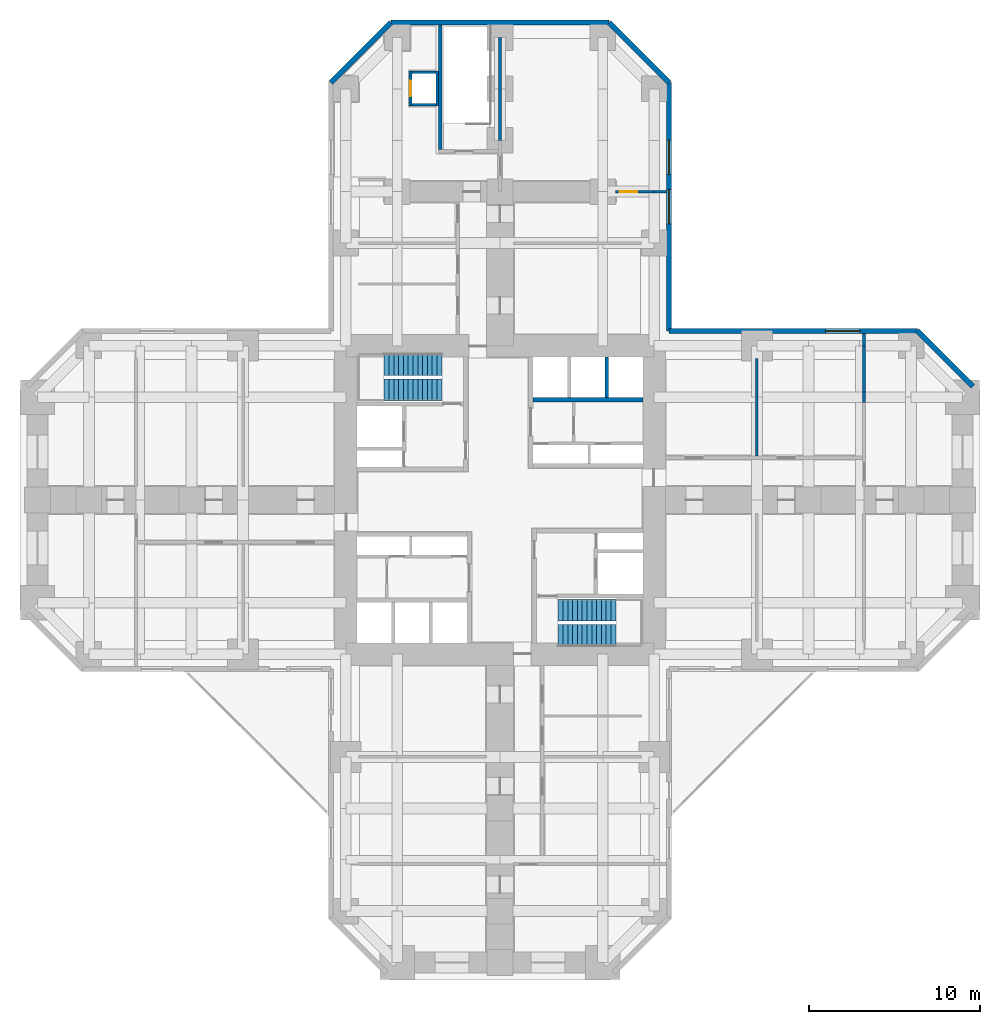
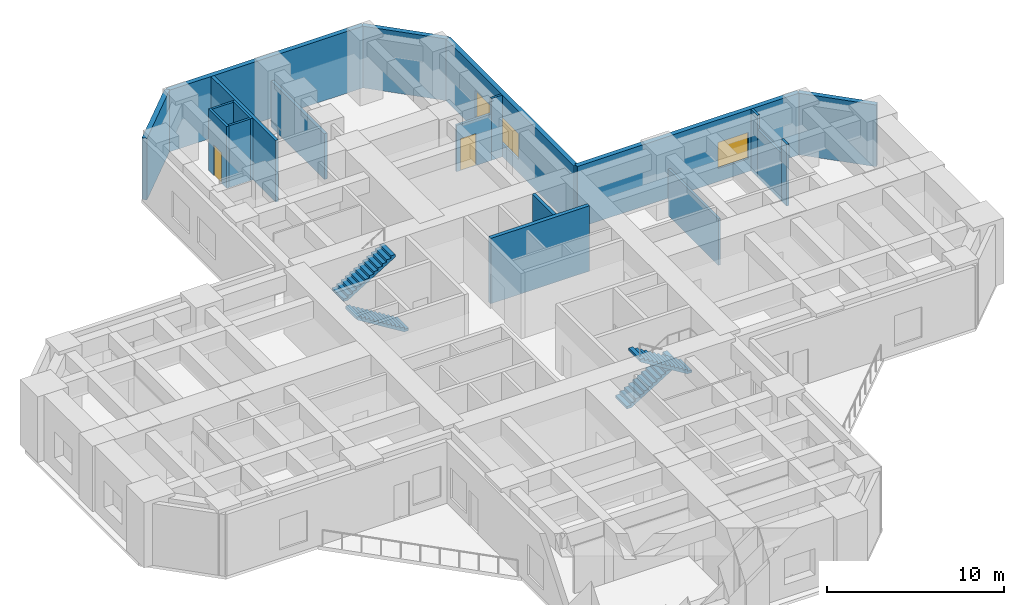
# One storey, part 7 of 8: 20 walls, 4 stair flights, 3 windows, 2 doors, 5 openings, 2 elements without a shape of their own.
"""IFC4 building model written with IfcOpenShell, lengths in metres."""

from ifc_helpers import new_model, si_unit, direction, frame, frame_2d, origin, place, context, subcontext, project, spatial, polyline, rectangle, hollow_rectangle, outline, extrude, material, layer, layer_set, constituent, constituent_set, type_object, element, fill, aggregate, save


model = new_model("IFC4")

# Units and contexts
model_context = context("Model", 3, precision=1e-05, world=origin(), true_north=direction((0.0, 1.0)))
body_context = subcontext(model_context, "Body", "Model", "MODEL_VIEW")
ifc_project = project(units=[si_unit("LENGTHUNIT", "METRE"), si_unit("AREAUNIT", "SQUARE_METRE"), si_unit("VOLUMEUNIT", "CUBIC_METRE"), si_unit("PLANEANGLEUNIT", "RADIAN"), si_unit("MASSUNIT", "GRAM", prefix="KILO")], contexts=[model_context])

# Site, building, storey
site_placement = place(None, origin())
site = spatial("IfcSite", under=ifc_project, at=site_placement, CompositionType="ELEMENT")
building_placement = place(site_placement, origin())
building = spatial("IfcBuilding", under=site, at=building_placement, Name="Torre Cruceta", CompositionType="ELEMENT")
storey_placement = place(building_placement, frame((0.0, 0.0, 14.0)))
storey = spatial("IfcBuildingStorey", under=building, at=storey_placement, Name="L03", CompositionType="ELEMENT", Elevation=14.0)

# Walls
ifc_material_1 = material(Name="Concrete G60 (fck 60 MPa)", Category="concrete")
ifc_layer_1 = layer(ifc_material_1, 0.25)
ifc_layer_set_1 = layer_set([ifc_layer_1], Name="Concrete G60 (fck 60 MPa)")
wall_type_1 = type_object("IfcWallType", Name="CORE INNER WALL 250 G60", PredefinedType="SHEAR", material=ifc_layer_set_1)
wall_1_placement = place(storey_placement, frame((1.925048828125, 5.85009765625, 0.0), z_axis=(0.0, 0.0, 1.0), x_axis=(1.0, 0.0, 0.0)))
element("IfcWall", 1, at=wall_1_placement, inside=storey, type_object=wall_type_1, Name="CW4 L03 NE-LV", PredefinedType="SHEAR", context=body_context, shape_type="SweptSolid", body=[
    extrude(rectangle(XDim=6.425048828125, YDim=0.25, at=frame_2d((3.21240234375, 0.0))), origin(), (0.0, 0.0, 1.0), 4.5),
])
ifc_material_2 = material(Name="Concrete G25 (fck 25 MPa)", Category="concrete")
ifc_layer_2 = layer(ifc_material_2, 0.199951171875)
ifc_layer_set_2 = layer_set([ifc_layer_2], Name="Concrete G25 (fck 25 MPa)")
wall_type_2 = type_object("IfcWallType", Name="CORRIDOR WALL 200", PredefinedType="SOLIDWALL", material=ifc_layer_set_2)
wall_2_placement = place(storey_placement, frame((0.0, 21.0, 0.0), z_axis=(0.0, 0.0, 1.0), x_axis=(0.0, 1.0, 0.0)))
element("IfcWall", 2, at=wall_2_placement, inside=storey, type_object=wall_type_2, Name="PT3 spine line L03 N 2", PredefinedType="SOLIDWALL", context=body_context, shape_type="SweptSolid", body=[
    extrude(rectangle(XDim=6.0, YDim=0.199951171875, at=frame_2d((3.0, 0.0))), origin(), (0.0, 0.0, 1.0), 3.14990234375),
])
ifc_material_3 = material(Name="Concrete G30 (fck 30 MPa)", Category="concrete")
ifc_layer_3 = layer(ifc_material_3, 0.300048828125)
ifc_layer_set_3 = layer_set([ifc_layer_3], Name="Concrete G30 (fck 30 MPa)")
wall_type_3 = type_object("IfcWallType", Name="EXPOSED CONCRETE FACADE WALL 300", PredefinedType="SOLIDWALL", material=ifc_layer_set_3)
wall_3_placement = place(storey_placement, frame((27.60009765625, 6.63037109375, 0.0), z_axis=(0.0, 0.0, 1.0), x_axis=(-0.707106781187, 0.707106781187, 0.0)))
element("IfcWall", 3, at=wall_3_placement, inside=storey, type_object=wall_type_3, Name="EW1 facade wall L03 E chamfer 03", PredefinedType="SOLIDWALL", context=body_context, shape_type="SweptSolid", body=[
    extrude(rectangle(XDim=4.581787109375, YDim=0.300048828125, at=frame_2d((2.291015625, 0.0))), origin(), (0.0, 0.0, 1.0), 4.25),
])

# Wall, opening, window
wall_4_placement = place(storey_placement, frame((24.3603515625, 9.8701171875, 0.0), z_axis=(0.0, 0.0, 1.0), x_axis=(-1.0, 0.0, 0.0)))
wall_4 = element("IfcWall", 4, at=wall_4_placement, inside=storey, type_object=wall_type_3, Name="EW1 facade wall L03 E side 04", PredefinedType="SOLIDWALL", context=body_context, shape_type="SweptSolid", body=[
    extrude(rectangle(XDim=14.490234375, YDim=0.300048828125, at=frame_2d((7.2451171875, 0.0))), origin(), (0.0, 0.0, 1.0), 4.25),
])
opening_1_placement = place(wall_4_placement, frame((3.34716796875, 0.0, 0.89990234375)))
opening_1 = element("IfcOpeningElement", 5, at=opening_1_placement, cuts=wall_4, Name="Opening WN1", PredefinedType="OPENING", context=body_context, shape_type="SweptSolid", body=[
    extrude(rectangle(XDim=2.0, YDim=1.800048828125, at=frame_2d((1.0, 0.89990234375))), frame((0.0, 0.159912109375, 0.0), z_axis=(0.0, -1.0, 0.0), x_axis=(1.0, 0.0, 0.0)), (0.0, 0.0, 1.0), 0.320068359375),
])
ifc_material_4 = material(Name="Aluminium window frame", Category="aluminium")
ifc_constituent_1 = constituent(ifc_material_4, Name="Frame")
ifc_material_5 = material(Name="Laminated insulating glass unit, low-iron clear", Category="glass")
ifc_constituent_2 = constituent(ifc_material_5, Name="Glazing")
ifc_constituent_set_1 = constituent_set(constituents=[ifc_constituent_1, ifc_constituent_2], Name="Aluminium window")
window_type = type_object("IfcWindowType", Name="SCHOOL WINDOW 2000X1800", PartitioningType="SINGLE_PANEL", PredefinedType="WINDOW", material=ifc_constituent_set_1)
window_1_placement = place(opening_1_placement, origin())
window_1 = element("IfcWindow", 6, at=window_1_placement, inside=storey, type_object=window_type, Name="WN1 L03 E 2", OverallHeight=1.800048828125, OverallWidth=2.0, PartitioningType="SINGLE_PANEL", PredefinedType="WINDOW", context=body_context, shape_type="SweptSolid", body=[
    extrude(hollow_rectangle(XDim=2.0, YDim=1.800048828125, WallThickness=0.06005859375, at=frame_2d((1.0, 0.89990234375))), frame((0.0, 0.030029296875, 0.0), z_axis=(0.0, -1.0, 0.0), x_axis=(1.0, 0.0, 0.0)), (0.0, 0.0, 1.0), 0.06005859375),
    extrude(rectangle(XDim=1.87890625, YDim=1.678955078125, at=frame_2d((1.0, 0.89990234375))), frame((0.0, 0.030029296875, 0.0), z_axis=(0.0, -1.0, 0.0), x_axis=(1.0, 0.0, 0.0)), (0.0, 0.0, 1.0), 0.06005859375),
])
fill(opening_1, window_1)

# Wall, openings, windows
wall_5_placement = place(storey_placement, frame((9.8701171875, 9.8701171875, 0.0), z_axis=(0.0, 0.0, 1.0), x_axis=(0.0, 1.0, 0.0)))
wall_5 = element("IfcWall", 7, at=wall_5_placement, inside=storey, type_object=wall_type_3, Name="EW1 facade wall L03 N side 05", PredefinedType="SOLIDWALL", context=body_context, shape_type="SweptSolid", body=[
    extrude(rectangle(XDim=14.490234375, YDim=0.300048828125, at=frame_2d((7.2451171875, 0.0))), origin(), (0.0, 0.0, 1.0), 4.25),
])
opening_2_placement = place(wall_5_placement, frame((6.2451171875, 0.0, 0.89990234375)))
opening_2 = element("IfcOpeningElement", 8, at=opening_2_placement, cuts=wall_5, Name="Opening WN1", PredefinedType="OPENING", context=body_context, shape_type="SweptSolid", body=[
    extrude(rectangle(XDim=2.0, YDim=1.800048828125, at=frame_2d((1.0, 0.89990234375))), frame((0.0, 0.159912109375, 0.0), z_axis=(0.0, -1.0, 0.0), x_axis=(1.0, 0.0, 0.0)), (0.0, 0.0, 1.0), 0.320068359375),
])
opening_3_placement = place(wall_5_placement, frame((9.143310546875, 0.0, 0.89990234375)))
opening_3 = element("IfcOpeningElement", 9, at=opening_3_placement, cuts=wall_5, Name="Opening WN1", PredefinedType="OPENING", context=body_context, shape_type="SweptSolid", body=[
    extrude(rectangle(XDim=2.0, YDim=1.800048828125, at=frame_2d((1.0, 0.89990234375))), frame((0.0, 0.159912109375, 0.0), z_axis=(0.0, -1.0, 0.0), x_axis=(1.0, 0.0, 0.0)), (0.0, 0.0, 1.0), 0.320068359375),
])
window_2_placement = place(opening_2_placement, origin())
window_2 = element("IfcWindow", 10, at=window_2_placement, inside=storey, type_object=window_type, Name="WN1 L03 N 3", OverallHeight=1.800048828125, OverallWidth=2.0, PartitioningType="SINGLE_PANEL", PredefinedType="WINDOW", context=body_context, shape_type="SweptSolid", body=[
    extrude(hollow_rectangle(XDim=2.0, YDim=1.800048828125, WallThickness=0.06005859375, at=frame_2d((1.0, 0.89990234375))), frame((0.0, 0.030029296875, 0.0), z_axis=(0.0, -1.0, 0.0), x_axis=(1.0, 0.0, 0.0)), (0.0, 0.0, 1.0), 0.06005859375),
    extrude(rectangle(XDim=1.87890625, YDim=1.678955078125, at=frame_2d((1.0, 0.89990234375))), frame((0.0, 0.030029296875, 0.0), z_axis=(0.0, -1.0, 0.0), x_axis=(1.0, 0.0, 0.0)), (0.0, 0.0, 1.0), 0.06005859375),
])
fill(opening_2, window_2)
window_3_placement = place(opening_3_placement, origin())
window_3 = element("IfcWindow", 11, at=window_3_placement, inside=storey, type_object=window_type, Name="WN1 L03 N 4", OverallHeight=1.800048828125, OverallWidth=2.0, PartitioningType="SINGLE_PANEL", PredefinedType="WINDOW", context=body_context, shape_type="SweptSolid", body=[
    extrude(hollow_rectangle(XDim=2.0, YDim=1.800048828125, WallThickness=0.06005859375, at=frame_2d((1.0, 0.89990234375))), frame((0.0, 0.030029296875, 0.0), z_axis=(0.0, -1.0, 0.0), x_axis=(1.0, 0.0, 0.0)), (0.0, 0.0, 1.0), 0.06005859375),
    extrude(rectangle(XDim=1.87890625, YDim=1.678955078125, at=frame_2d((1.0, 0.89990234375))), frame((0.0, 0.030029296875, 0.0), z_axis=(0.0, -1.0, 0.0), x_axis=(1.0, 0.0, 0.0)), (0.0, 0.0, 1.0), 0.06005859375),
])
fill(opening_3, window_3)

# Walls
wall_6_placement = place(storey_placement, frame((9.8701171875, 24.3603515625, 0.0), z_axis=(0.0, 0.0, 1.0), x_axis=(-0.707106781187, 0.707106781187, 0.0)))
element("IfcWall", 12, at=wall_6_placement, inside=storey, type_object=wall_type_3, Name="EW1 facade wall L03 N chamfer 06", PredefinedType="SOLIDWALL", context=body_context, shape_type="SweptSolid", body=[
    extrude(rectangle(XDim=4.963623046875, YDim=0.300048828125, at=frame_2d((2.48193359375, 0.0))), origin(), (0.0, 0.0, 1.0), 4.25),
])
wall_7_placement = place(storey_placement, frame((6.3603515625, 27.8701171875, 0.0), z_axis=(0.0, 0.0, 1.0), x_axis=(-1.0, 0.0, 0.0)))
element("IfcWall", 13, at=wall_7_placement, inside=storey, type_object=wall_type_3, Name="EW1 facade wall L03 N tip 07", PredefinedType="SOLIDWALL", context=body_context, shape_type="SweptSolid", body=[
    extrude(rectangle(XDim=12.720703125, YDim=0.300048828125, at=frame_2d((6.3603515625, 0.0))), origin(), (0.0, 0.0, 1.0), 4.25),
])
wall_8_placement = place(storey_placement, frame((-6.3603515625, 27.8701171875, 0.0), z_axis=(0.0, 0.0, 1.0), x_axis=(-0.707106781187, -0.707106781187, 0.0)))
element("IfcWall", 14, at=wall_8_placement, inside=storey, type_object=wall_type_3, Name="EW1 facade wall L03 N chamfer 08", PredefinedType="SOLIDWALL", context=body_context, shape_type="SweptSolid", body=[
    extrude(rectangle(XDim=4.963623046875, YDim=0.300048828125, at=frame_2d((2.48193359375, 0.0))), origin(), (0.0, 0.0, 1.0), 4.25),
])
ifc_material_6 = material(Name="Concrete block masonry", Category="masonry")
ifc_layer_4 = layer(ifc_material_6, 0.14990234375)
ifc_layer_set_4 = layer_set([ifc_layer_4], Name="Concrete block masonry")
wall_type_4 = type_object("IfcWallType", Name="LIFT SHAFT WALL 150", PredefinedType="PARTITIONING", material=ifc_layer_set_4)
wall_9_placement = place(storey_placement, frame((-3.675048828125, 23.0, 0.0), z_axis=(0.0, 0.0, 1.0), x_axis=(0.0, 1.0, 0.0)))
element("IfcWall", 15, at=wall_9_placement, inside=storey, type_object=wall_type_4, Name="PT7 L03-N-LS1A", PredefinedType="PARTITIONING", context=body_context, shape_type="SweptSolid", body=[
    extrude(rectangle(XDim=2.050048828125, YDim=0.14990234375, at=frame_2d((1.02490234375, 0.0))), origin(), (0.0, 0.0, 1.0), 4.25),
])

# Wall, opening, door
wall_10_placement = place(storey_placement, frame((-5.22509765625, 23.0, 0.0), z_axis=(0.0, 0.0, 1.0), x_axis=(0.0, 1.0, 0.0)))
wall_10 = element("IfcWall", 16, at=wall_10_placement, inside=storey, type_object=wall_type_4, Name="PT7 L03-N-LS1B", PredefinedType="PARTITIONING", context=body_context, shape_type="SweptSolid", body=[
    extrude(rectangle(XDim=2.050048828125, YDim=0.14990234375, at=frame_2d((1.02490234375, 0.0))), origin(), (0.0, 0.0, 1.0), 4.25),
])
opening_4_placement = place(wall_10_placement, frame((0.574951171875, 0.0, 0.0)))
opening_4 = element("IfcOpeningElement", 17, at=opening_4_placement, cuts=wall_10, Name="Opening LD2", PredefinedType="OPENING", context=body_context, shape_type="SweptSolid", body=[
    extrude(rectangle(XDim=0.89990234375, YDim=2.10009765625, at=frame_2d((0.449951171875, 1.050048828125))), frame((0.0, 0.0849609375, 0.0), z_axis=(0.0, -1.0, 0.0), x_axis=(1.0, 0.0, 0.0)), (0.0, 0.0, 1.0), 0.169921875),
])
ifc_material_7 = material(Name="Stainless steel 1.4401", Category="steel")
door_type_1 = type_object("IfcDoorType", Name="PLATFORM LIFT LANDING DOOR 900X2100", OperationType="DOUBLE_DOOR_SLIDING", PredefinedType="DOOR", material=ifc_material_7)
door_1_placement = place(opening_4_placement, origin())
door_1 = element("IfcDoor", 18, at=door_1_placement, inside=storey, type_object=door_type_1, Name="LD2 L03-N-LS1B-D1", OperationType="DOUBLE_DOOR_SLIDING", OverallHeight=2.10009765625, OverallWidth=0.89990234375, PredefinedType="DOOR", context=body_context, shape_type="SweptSolid", body=[
    extrude(rectangle(XDim=0.89990234375, YDim=2.10009765625, at=frame_2d((0.449951171875, 1.050048828125))), frame((0.0, 0.02490234375, 0.0), z_axis=(0.0, -1.0, 0.0), x_axis=(1.0, 0.0, 0.0)), (0.0, 0.0, 1.0), 0.050048828125),
])
fill(opening_4, door_1)

# Walls
for number, where, z_axis, x_axis, name in (
    (19, (-3.75, 23.074951171875, 0.0), (0.0, 0.0, 1.0), (-1.0, 0.0, 0.0), "PT7 L03-N-LS1C"),
    (20, (-3.75, 24.97509765625, 0.0), (0.0, 0.0, 1.0), (-1.0, 0.0, 0.0), "PT7 L03-N-LS1D"),
):
    element("IfcWall", number, at=place(storey_placement, frame(where, z_axis=z_axis, x_axis=x_axis)), inside=storey, type_object=wall_type_4, Name=name, PredefinedType="PARTITIONING", context=body_context, shape_type="SweptSolid", body=[
        extrude(rectangle(XDim=1.39990234375, YDim=0.14990234375, at=frame_2d((0.699951171875, 0.0))), origin(), (0.0, 0.0, 1.0), 4.25),
    ])
ifc_material_8 = material(Name="Concrete G35 (fck 35 MPa)", Category="concrete")
ifc_layer_5 = layer(ifc_material_8, 0.199951171875)
ifc_layer_set_5 = layer_set([ifc_layer_5], Name="Concrete G35 (fck 35 MPa)")
wall_type_5 = type_object("IfcWallType", Name="LIFT SHAFT WALL 200", PredefinedType="PARTITIONING", material=ifc_layer_set_5)
wall_11_placement = place(storey_placement, frame((6.24169921875, 5.97509765625, 0.0), z_axis=(0.0, 0.0, 1.0), x_axis=(0.0, 1.0, 0.0)))
element("IfcWall", 21, at=wall_11_placement, inside=storey, type_object=wall_type_5, Name="SW1 L03 NE-LS2", PredefinedType="PARTITIONING", context=body_context, shape_type="SweptSolid", body=[
    extrude(rectangle(XDim=2.375, YDim=0.199951171875, at=frame_2d((1.1875, 0.0))), origin(), (0.0, 0.0, 1.0), 4.5),
])

# Wall, opening, door
ifc_material_9 = material(Name="Plasterboard on steel studs", Category="steel")
ifc_layer_6 = layer(ifc_material_9, 0.14990234375)
ifc_layer_set_6 = layer_set([ifc_layer_6], Name="Plasterboard on steel studs")
wall_type_6 = type_object("IfcWallType", Name="PARTITION 150", PredefinedType="PARTITIONING", material=ifc_layer_set_6)
wall_12_placement = place(storey_placement, frame((6.75, 18.0, 0.0), z_axis=(0.0, 0.0, 1.0), x_axis=(1.0, 0.0, 0.0)))
wall_12 = element("IfcWall", 22, at=wall_12_placement, inside=storey, type_object=wall_type_6, Name="PT1 L03-N-LABX", PredefinedType="PARTITIONING", context=body_context, shape_type="SweptSolid", body=[
    extrude(rectangle(XDim=2.25, YDim=0.14990234375, at=frame_2d((1.125, 0.0))), origin(), (0.0, 0.0, 1.0), 3.199951171875),
])
opening_5_placement = place(wall_12_placement, frame((0.25, 0.0, 0.0)))
opening_5 = element("IfcOpeningElement", 23, at=opening_5_placement, cuts=wall_12, Name="Opening D14", PredefinedType="OPENING", context=body_context, shape_type="SweptSolid", body=[
    extrude(rectangle(XDim=1.0, YDim=2.199951171875, at=frame_2d((0.5, 1.10009765625))), frame((0.0, 0.0849609375, 0.0), z_axis=(0.0, -1.0, 0.0), x_axis=(1.0, 0.0, 0.0)), (0.0, 0.0, 1.0), 0.169921875),
])
ifc_material_10 = material(Name="Steel DX51D", Category="steel")
ifc_constituent_3 = constituent(ifc_material_10, Name="Leaf and frame")
ifc_material_11 = material(Name="Polyester powder coating", Category="paint")
ifc_constituent_4 = constituent(ifc_material_11, Name="Finish")
ifc_material_12 = material(Name="Fire-resisting glass", Category="glass")
ifc_constituent_5 = constituent(ifc_material_12, Name="Vision panel")
ifc_constituent_set_2 = constituent_set(constituents=[ifc_constituent_3, ifc_constituent_4, ifc_constituent_5], Name="Steel fire door with vision panel")
door_type_2 = type_object("IfcDoorType", Name="FIRE DOOR VISION PANEL 1000X2200", OperationType="SINGLE_SWING_RIGHT", PredefinedType="DOOR", material=ifc_constituent_set_2)
door_2_placement = place(opening_5_placement, frame((1.0, 0.0, 0.0), z_axis=(0.0, 0.0, 1.0), x_axis=(-1.0, 0.0, 0.0)))
door_2 = element("IfcDoor", 24, at=door_2_placement, inside=storey, type_object=door_type_2, Name="D14 L03-N-LABX-D1", OperationType="SINGLE_SWING_RIGHT", OverallHeight=2.199951171875, OverallWidth=1.0, PredefinedType="DOOR", context=body_context, shape_type="SweptSolid", body=[
    extrude(rectangle(XDim=1.0, YDim=2.199951171875, at=frame_2d((0.5, 1.10009765625))), frame((0.0, 0.025146484375, 0.0), z_axis=(0.0, -1.0, 0.0), x_axis=(1.0, 0.0, 0.0)), (0.0, 0.0, 1.0), 0.050048828125),
])
fill(opening_5, door_2)

# Walls
wall_13_placement = place(storey_placement, frame((9.0, 18.0, 0.0), z_axis=(0.0, 0.0, 1.0), x_axis=(1.0, 0.0, 0.0)))
element("IfcWall", 25, at=wall_13_placement, inside=storey, type_object=wall_type_6, Name="PT1 L03-N-LABX 2", PredefinedType="PARTITIONING", context=body_context, shape_type="SweptSolid", body=[
    extrude(rectangle(XDim=0.719970703125, YDim=0.14990234375, at=frame_2d((0.35986328125, 0.0))), origin(), (0.0, 0.0, 1.0), 4.25),
])
wall_14_placement = place(storey_placement, frame((15.0, 2.574951171875, 0.0), z_axis=(0.0, 0.0, 1.0), x_axis=(0.0, 1.0, 0.0)))
element("IfcWall", 26, at=wall_14_placement, inside=storey, type_object=wall_type_6, Name="PT1 L03-E-P1L", PredefinedType="PARTITIONING", context=body_context, shape_type="SweptSolid", body=[
    extrude(rectangle(XDim=5.675048828125, YDim=0.14990234375, at=frame_2d((2.83740234375, 0.0))), origin(), (0.0, 0.0, 1.0), 3.199951171875),
])
wall_15_placement = place(storey_placement, frame((21.25, 5.699951171875, 0.0), z_axis=(0.0, 0.0, 1.0), x_axis=(0.0, 1.0, 0.0)))
element("IfcWall", 27, at=wall_15_placement, inside=storey, type_object=wall_type_6, Name="PT1 L03-E-ENDb 2", PredefinedType="PARTITIONING", context=body_context, shape_type="SweptSolid", body=[
    extrude(rectangle(XDim=0.60009765625, YDim=0.14990234375, at=frame_2d((0.300048828125, 0.0))), origin(), (0.0, 0.0, 1.0), 4.25),
])
wall_16_placement = place(storey_placement, frame((21.25, 6.300048828125, 0.0), z_axis=(0.0, 0.0, 1.0), x_axis=(0.0, 1.0, 0.0)))
element("IfcWall", 28, at=wall_16_placement, inside=storey, type_object=wall_type_6, Name="PT1 L03-E-ENDb 3", PredefinedType="PARTITIONING", context=body_context, shape_type="SweptSolid", body=[
    extrude(rectangle(XDim=2.699951171875, YDim=0.14990234375, at=frame_2d((1.35009765625, 0.0))), origin(), (0.0, 0.0, 1.0), 3.300048828125),
])
wall_17_placement = place(storey_placement, frame((21.25, 9.0, 0.0), z_axis=(0.0, 0.0, 1.0), x_axis=(0.0, 1.0, 0.0)))
element("IfcWall", 29, at=wall_17_placement, inside=storey, type_object=wall_type_6, Name="PT1 L03-E-ENDb 4", PredefinedType="PARTITIONING", context=body_context, shape_type="SweptSolid", body=[
    extrude(rectangle(XDim=0.719970703125, YDim=0.14990234375, at=frame_2d((0.35986328125, 0.0))), origin(), (0.0, 0.0, 1.0), 4.25),
])
ifc_material_13 = material(Name="Concrete G25 (fck 25 MPa)", Category="concrete")
ifc_layer_7 = layer(ifc_material_13, 0.199951171875)
ifc_layer_set_7 = layer_set([ifc_layer_7], Name="Concrete G25 (fck 25 MPa)")
wall_type_7 = type_object("IfcWallType", Name="UNIT SEPARATING WALL 200", PredefinedType="SOLIDWALL", material=ifc_layer_set_7)
wall_18_placement = place(storey_placement, frame((-3.5, 20.449951171875, 0.0), z_axis=(0.0, 0.0, 1.0), x_axis=(0.0, 1.0, 0.0)))
element("IfcWall", 30, at=wall_18_placement, inside=storey, type_object=wall_type_7, Name="PT2 L03-N-ST3W", PredefinedType="SOLIDWALL", context=body_context, shape_type="SweptSolid", body=[
    extrude(rectangle(XDim=7.27001953125, YDim=0.199951171875, at=frame_2d((3.635009765625, 0.0))), origin(), (0.0, 0.0, 1.0), 4.25),
])

# Stair, stair flights
ifc_material_14 = material(Name="Concrete G30 (fck 30 MPa)", Category="concrete")
stair_type = type_object("IfcStairType", Name="STAIR HALF-TURN 1300", PredefinedType="HALF_TURN_STAIR", material=ifc_material_14)
stair_1_placement = place(storey_placement, origin())
stair_1 = element("IfcStair", 31, at=stair_1_placement, inside=storey, type_object=stair_type, Name="Stair ST1 L03", PredefinedType="HALF_TURN_STAIR")
ifc_material_15 = material(Name="Concrete G30 (fck 30 MPa)", Category="concrete")
stair_flight_type = type_object("IfcStairFlightType", Name="STAIR FLIGHT 1300", PredefinedType="STRAIGHT", material=ifc_material_15)
stair_flight_1_placement = place(storey_placement, frame((-3.39990234375, 6.425048828125, 0.0), z_axis=(0.0, 0.0, 1.0), x_axis=(-1.0, 0.0, 0.0)))
stair_flight_1 = element("IfcStairFlight", 32, at=stair_flight_1_placement, type_object=stair_flight_type, Name="ST1 flight 1", NumberOfRisers=13, NumberOfTreads=12, PredefinedType="STRAIGHT", RiserHeight=0.173076923, TreadLength=0.28, context=body_context, shape_type="SweptSolid", body=[
    extrude(outline(polyline([(0.0, 0.0), (0.0, 0.173095703125), (0.280029296875, 0.173095703125), (0.280029296875, 0.34619140625), (0.56005859375, 0.34619140625), (0.56005859375, 0.519287109375), (0.840087890625, 0.519287109375), (0.840087890625, 0.6923828125), (1.1201171875, 0.6923828125), (1.1201171875, 0.865478515625), (1.39990234375, 0.865478515625), (1.39990234375, 1.03857421875), (1.679931640625, 1.03857421875), (1.679931640625, 1.21142578125), (1.9599609375, 1.21142578125), (1.9599609375, 1.384521484375), (2.239990234375, 1.384521484375), (2.239990234375, 1.5576171875), (2.52001953125, 1.5576171875), (2.52001953125, 1.730712890625), (2.800048828125, 1.730712890625), (2.800048828125, 1.90380859375), (3.080078125, 1.90380859375), (3.080078125, 2.076904296875), (3.360107421875, 2.076904296875), (3.360107421875, 2.25), (3.360107421875, 1.900634765625), (0.28515625, 0.0), (0.0, 0.0)])), frame((0.0, 0.64990234375, 0.0), z_axis=(0.0, -1.0, 0.0), x_axis=(1.0, 0.0, 0.0)), (0.0, 0.0, 1.0), 1.300048828125),
])
stair_flight_2_placement = place(storey_placement, frame((-6.760009765625, 7.925048828125, 2.25), z_axis=(0.0, 0.0, 1.0), x_axis=(1.0, 0.0, 0.0)))
stair_flight_2 = element("IfcStairFlight", 33, at=stair_flight_2_placement, type_object=stair_flight_type, Name="ST1 flight 2", NumberOfRisers=13, NumberOfTreads=12, PredefinedType="STRAIGHT", RiserHeight=0.173076923, TreadLength=0.28, context=body_context, shape_type="SweptSolid", body=[
    extrude(outline(polyline([(0.0, 0.0), (0.0, 0.173095703125), (0.280029296875, 0.173095703125), (0.280029296875, 0.34619140625), (0.56005859375, 0.34619140625), (0.56005859375, 0.519287109375), (0.840087890625, 0.519287109375), (0.840087890625, 0.6923828125), (1.1201171875, 0.6923828125), (1.1201171875, 0.865478515625), (1.39990234375, 0.865478515625), (1.39990234375, 1.03857421875), (1.679931640625, 1.03857421875), (1.679931640625, 1.21142578125), (1.9599609375, 1.21142578125), (1.9599609375, 1.384521484375), (2.239990234375, 1.384521484375), (2.239990234375, 1.5576171875), (2.52001953125, 1.5576171875), (2.52001953125, 1.730712890625), (2.800048828125, 1.730712890625), (2.800048828125, 1.90380859375), (3.080078125, 1.90380859375), (3.080078125, 2.076904296875), (3.360107421875, 2.076904296875), (3.360107421875, 2.25), (3.360107421875, 1.900634765625), (0.28515625, 0.0), (0.0, 0.0)])), frame((0.0, 0.64990234375, 0.0), z_axis=(0.0, -1.0, 0.0), x_axis=(1.0, 0.0, 0.0)), (0.0, 0.0, 1.0), 1.300048828125),
])
aggregate(stair_1, [stair_flight_1, stair_flight_2])

stair_2_placement = place(storey_placement, origin())
stair_2 = element("IfcStair", 34, at=stair_2_placement, inside=storey, type_object=stair_type, Name="Stair ST2 L03", PredefinedType="HALF_TURN_STAIR")
stair_flight_3_placement = place(storey_placement, frame((3.39990234375, -6.425048828125, 0.0), z_axis=(0.0, 0.0, 1.0), x_axis=(1.0, 0.0, 0.0)))
stair_flight_3 = element("IfcStairFlight", 35, at=stair_flight_3_placement, type_object=stair_flight_type, Name="ST2 flight 1", NumberOfRisers=13, NumberOfTreads=12, PredefinedType="STRAIGHT", RiserHeight=0.173076923, TreadLength=0.28, context=body_context, shape_type="SweptSolid", body=[
    extrude(outline(polyline([(0.0, 0.0), (0.0, 0.173095703125), (0.280029296875, 0.173095703125), (0.280029296875, 0.34619140625), (0.56005859375, 0.34619140625), (0.56005859375, 0.519287109375), (0.840087890625, 0.519287109375), (0.840087890625, 0.6923828125), (1.1201171875, 0.6923828125), (1.1201171875, 0.865478515625), (1.39990234375, 0.865478515625), (1.39990234375, 1.03857421875), (1.679931640625, 1.03857421875), (1.679931640625, 1.21142578125), (1.9599609375, 1.21142578125), (1.9599609375, 1.384521484375), (2.239990234375, 1.384521484375), (2.239990234375, 1.5576171875), (2.52001953125, 1.5576171875), (2.52001953125, 1.730712890625), (2.800048828125, 1.730712890625), (2.800048828125, 1.90380859375), (3.080078125, 1.90380859375), (3.080078125, 2.076904296875), (3.360107421875, 2.076904296875), (3.360107421875, 2.25), (3.360107421875, 1.900634765625), (0.28515625, 0.0), (0.0, 0.0)])), frame((0.0, 0.64990234375, 0.0), z_axis=(0.0, -1.0, 0.0), x_axis=(1.0, 0.0, 0.0)), (0.0, 0.0, 1.0), 1.300048828125),
])
stair_flight_4_placement = place(storey_placement, frame((6.760009765625, -7.925048828125, 2.25), z_axis=(0.0, 0.0, 1.0), x_axis=(-1.0, 0.0, 0.0)))
stair_flight_4 = element("IfcStairFlight", 36, at=stair_flight_4_placement, type_object=stair_flight_type, Name="ST2 flight 2", NumberOfRisers=13, NumberOfTreads=12, PredefinedType="STRAIGHT", RiserHeight=0.173076923, TreadLength=0.28, context=body_context, shape_type="SweptSolid", body=[
    extrude(outline(polyline([(0.0, 0.0), (0.0, 0.173095703125), (0.280029296875, 0.173095703125), (0.280029296875, 0.34619140625), (0.56005859375, 0.34619140625), (0.56005859375, 0.519287109375), (0.840087890625, 0.519287109375), (0.840087890625, 0.6923828125), (1.1201171875, 0.6923828125), (1.1201171875, 0.865478515625), (1.39990234375, 0.865478515625), (1.39990234375, 1.03857421875), (1.679931640625, 1.03857421875), (1.679931640625, 1.21142578125), (1.9599609375, 1.21142578125), (1.9599609375, 1.384521484375), (2.239990234375, 1.384521484375), (2.239990234375, 1.5576171875), (2.52001953125, 1.5576171875), (2.52001953125, 1.730712890625), (2.800048828125, 1.730712890625), (2.800048828125, 1.90380859375), (3.080078125, 1.90380859375), (3.080078125, 2.076904296875), (3.360107421875, 2.076904296875), (3.360107421875, 2.25), (3.360107421875, 1.900634765625), (0.28515625, 0.0), (0.0, 0.0)])), frame((0.0, 0.64990234375, 0.0), z_axis=(0.0, -1.0, 0.0), x_axis=(1.0, 0.0, 0.0)), (0.0, 0.0, 1.0), 1.300048828125),
])
aggregate(stair_2, [stair_flight_3, stair_flight_4])

save(model, "model.ifc")
